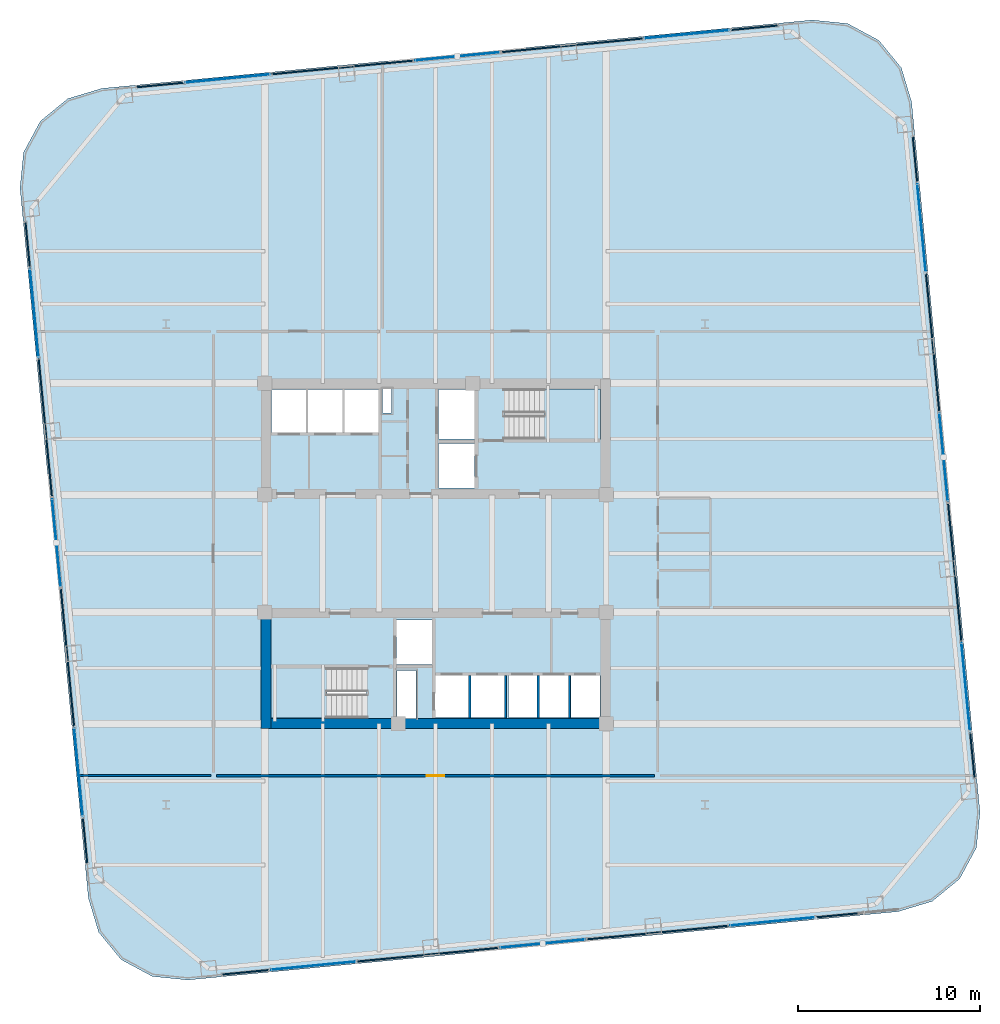
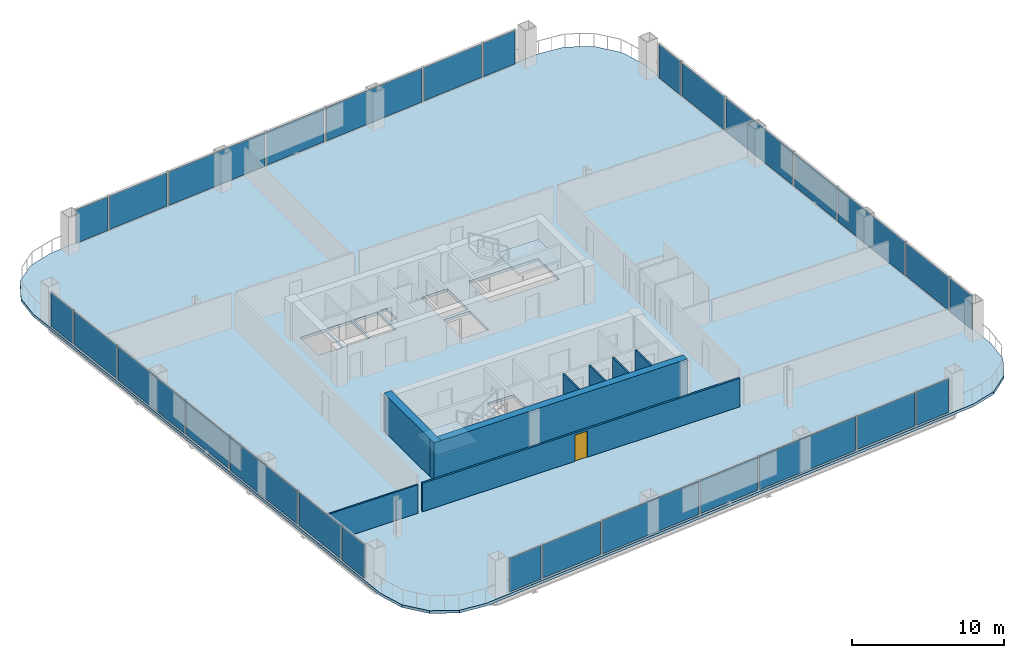
# One storey, part 21 of 27: 28 plates, 8 walls, 3 slabs, 1 door, 1 opening, 30 elements without a shape of their own.
"""IFC4 building model written with IfcOpenShell, lengths in metres."""

from ifc_helpers import new_model, si_unit, direction, frame, frame_2d, origin, origin_2d, place, context, subcontext, project, spatial, polyline, rectangle, outline, extrude, material, layer, layer_set, type_object, element, fill, aggregate, save


model = new_model("IFC4")

# Units and contexts
model_context = context("Model", 3, precision=1e-05, world=origin(), true_north=direction((0.0, 1.0)))
body_context = subcontext(model_context, "Body", "Model", "MODEL_VIEW")
ifc_project = project(units=[si_unit("LENGTHUNIT", "METRE"), si_unit("AREAUNIT", "SQUARE_METRE"), si_unit("VOLUMEUNIT", "CUBIC_METRE"), si_unit("PLANEANGLEUNIT", "RADIAN"), si_unit("MASSUNIT", "GRAM", prefix="KILO")], contexts=[model_context])

# Site, building, storey
site_placement = place(None, origin())
site = spatial("IfcSite", under=ifc_project, at=site_placement, CompositionType="ELEMENT")
building_placement = place(site_placement, origin())
building = spatial("IfcBuilding", under=site, at=building_placement, Name="Qhalaya Broadcast Tower", CompositionType="ELEMENT")
storey_placement = place(building_placement, frame((0.0, 0.0, 75.550048828125)))
storey = spatial("IfcBuildingStorey", under=building, at=storey_placement, Name="L21", CompositionType="ELEMENT", Elevation=75.550048828125)

# Curtain wall, plate
ifc_material_1 = material(Name="Fired Architectural Terracotta", Category="masonry")
ifc_layer_1 = layer(ifc_material_1, 0.219970703125, Name="Fired Architectural Terracotta")
ifc_layer_set_1 = layer_set([ifc_layer_1], Name="Fired Architectural Terracotta")
curtain_wall_type_1 = type_object("IfcCurtainWallType", Name="Block-Cap Unitised Terracotta Spandrel Wall CW-07", PredefinedType="NOTDEFINED", material=ifc_layer_set_1)
curtain_wall_1_placement = place(storey_placement, origin())
curtain_wall_1 = element("IfcCurtainWall", 1, at=curtain_wall_1_placement, inside=storey, type_object=curtain_wall_type_1, Name="L21 Unitised Curtain Wall L21-CW-S1", PredefinedType="NOTDEFINED")
ifc_layer_2 = layer(ifc_material_1, 0.080078125, Name="Fired Architectural Terracotta")
ifc_layer_set_2 = layer_set([ifc_layer_2], Name="Fired Architectural Terracotta")
plate_type_1 = type_object("IfcPlateType", Name="Insulated Terracotta Spandrel Panel TSP-07", PredefinedType="CURTAIN_PANEL", material=ifc_layer_set_2)
plate_1_placement = place(storey_placement, frame((-10.443115234375, -22.399658203125, 0.0751953125), z_axis=(0.0, 0.0, 1.0), x_axis=(0.995397033761, 0.095837076227, 0.0)))
plate_1 = element("IfcPlate", 2, at=plate_1_placement, type_object=plate_type_1, Name="CW-07 panel 1.1", PredefinedType="CURTAIN_PANEL", context=body_context, shape_type="SweptSolid", body=[
    extrude(rectangle(XDim=2.5400390625, YDim=0.080078125, at=origin_2d()), origin(), (0.0, 0.0, 1.0), 2.679931640625),
])
aggregate(curtain_wall_1, [plate_1])

curtain_wall_2_placement = place(storey_placement, origin())
curtain_wall_2 = element("IfcCurtainWall", 3, at=curtain_wall_2_placement, inside=storey, type_object=curtain_wall_type_1, Name="L21 Unitised Curtain Wall L21-CW-S3", PredefinedType="NOTDEFINED")
plate_2_placement = place(storey_placement, frame((-0.41796875, -21.434326171875, 0.0751953125), z_axis=(0.0, 0.0, 1.0), x_axis=(0.995396908899, 0.095838373083, 0.0)))
plate_2 = element("IfcPlate", 4, at=plate_2_placement, type_object=plate_type_1, Name="CW-07 panel 1.1", PredefinedType="CURTAIN_PANEL", context=body_context, shape_type="SweptSolid", body=[
    extrude(rectangle(XDim=7.73095703125, YDim=0.080078125, at=origin_2d()), origin(), (0.0, 0.0, 1.0), 2.679931640625),
])
aggregate(curtain_wall_2, [plate_2])

curtain_wall_3_placement = place(storey_placement, origin())
curtain_wall_3 = element("IfcCurtainWall", 5, at=curtain_wall_3_placement, inside=storey, type_object=curtain_wall_type_1, Name="L21 Unitised Curtain Wall L21-CW-S5", PredefinedType="NOTDEFINED")
plate_3_placement = place(storey_placement, frame((12.190673828125, -20.22021484375, 0.0751953125), z_axis=(0.0, 0.0, 1.0), x_axis=(0.995396908899, 0.095838373083, 0.0)))
plate_3 = element("IfcPlate", 6, at=plate_3_placement, type_object=plate_type_1, Name="CW-07 panel 1.1", PredefinedType="CURTAIN_PANEL", context=body_context, shape_type="SweptSolid", body=[
    extrude(rectangle(XDim=7.73095703125, YDim=0.080078125, at=origin_2d()), origin(), (0.0, 0.0, 1.0), 2.679931640625),
])
aggregate(curtain_wall_3, [plate_3])

curtain_wall_4_placement = place(storey_placement, origin())
curtain_wall_4 = element("IfcCurtainWall", 7, at=curtain_wall_4_placement, inside=storey, type_object=curtain_wall_type_1, Name="L21 Unitised Curtain Wall L21-CW-S7", PredefinedType="NOTDEFINED")
plate_4_placement = place(storey_placement, frame((22.2158203125, -19.2548828125, 0.0751953125), z_axis=(0.0, 0.0, 1.0), x_axis=(0.995397375184, 0.095833530024, 0.0)))
plate_4 = element("IfcPlate", 8, at=plate_4_placement, type_object=plate_type_1, Name="CW-07 panel 1.1", PredefinedType="CURTAIN_PANEL", context=body_context, shape_type="SweptSolid", body=[
    extrude(rectangle(XDim=2.5400390625, YDim=0.080078125, at=origin_2d()), origin(), (0.0, 0.0, 1.0), 2.679931640625),
])
aggregate(curtain_wall_4, [plate_4])

curtain_wall_5_placement = place(storey_placement, origin())
curtain_wall_5 = element("IfcCurtainWall", 9, at=curtain_wall_5_placement, inside=storey, type_object=curtain_wall_type_1, Name="L21 Unitised Curtain Wall L21-CW-E1", PredefinedType="NOTDEFINED")
plate_5_placement = place(storey_placement, frame((29.48388671875, -10.486083984375, 0.0751953125), z_axis=(0.0, 0.0, 1.0), x_axis=(-0.095852900962, 0.995395510025, 0.0)))
plate_5 = element("IfcPlate", 10, at=plate_5_placement, type_object=plate_type_1, Name="CW-07 panel 1.1", PredefinedType="CURTAIN_PANEL", context=body_context, shape_type="SweptSolid", body=[
    extrude(rectangle(XDim=2.4541015625, YDim=0.080078125, at=origin_2d()), origin(), (0.0, 0.0, 1.0), 2.679931640625),
])
aggregate(curtain_wall_5, [plate_5])

curtain_wall_6_placement = place(storey_placement, origin())
curtain_wall_6 = element("IfcCurtainWall", 11, at=curtain_wall_6_placement, inside=storey, type_object=curtain_wall_type_1, Name="L21 Unitised Curtain Wall L21-CW-E3", PredefinedType="NOTDEFINED")
plate_6_placement = place(storey_placement, frame((28.514404296875, -0.41796875, 0.0751953125), z_axis=(0.0, 0.0, 1.0), x_axis=(-0.095849092763, 0.995395876733, 0.0)))
plate_6 = element("IfcPlate", 12, at=plate_6_placement, type_object=plate_type_1, Name="CW-07 panel 1.1", PredefinedType="CURTAIN_PANEL", context=body_context, shape_type="SweptSolid", body=[
    extrude(rectangle(XDim=7.55908203125, YDim=0.080078125, at=origin_2d()), origin(), (0.0, 0.0, 1.0), 2.679931640625),
])
aggregate(curtain_wall_6, [plate_6])

curtain_wall_7_placement = place(storey_placement, origin())
curtain_wall_7 = element("IfcCurtainWall", 13, at=curtain_wall_7_placement, inside=storey, type_object=curtain_wall_type_1, Name="L21 Unitised Curtain Wall L21-CW-E5", PredefinedType="NOTDEFINED")
plate_7_placement = place(storey_placement, frame((27.30029296875, 12.190673828125, 0.0751953125), z_axis=(0.0, 0.0, 1.0), x_axis=(-0.095849092763, 0.995395876733, 0.0)))
plate_7 = element("IfcPlate", 14, at=plate_7_placement, type_object=plate_type_1, Name="CW-07 panel 1.1", PredefinedType="CURTAIN_PANEL", context=body_context, shape_type="SweptSolid", body=[
    extrude(rectangle(XDim=7.55908203125, YDim=0.080078125, at=origin_2d()), origin(), (0.0, 0.0, 1.0), 2.679931640625),
])
aggregate(curtain_wall_7, [plate_7])

curtain_wall_8_placement = place(storey_placement, origin())
curtain_wall_8 = element("IfcCurtainWall", 15, at=curtain_wall_8_placement, inside=storey, type_object=curtain_wall_type_1, Name="L21 Unitised Curtain Wall L21-CW-E7", PredefinedType="NOTDEFINED")
plate_8_placement = place(storey_placement, frame((26.330810546875, 22.258544921875, 0.0751953125), z_axis=(0.0, 0.0, 1.0), x_axis=(-0.095849237045, 0.995395862839, 0.0)))
plate_8 = element("IfcPlate", 16, at=plate_8_placement, type_object=plate_type_1, Name="CW-07 panel 1.1", PredefinedType="CURTAIN_PANEL", context=body_context, shape_type="SweptSolid", body=[
    extrude(rectangle(XDim=2.4541015625, YDim=0.080078125, at=origin_2d()), origin(), (0.0, 0.0, 1.0), 2.679931640625),
])
aggregate(curtain_wall_8, [plate_8])

curtain_wall_9_placement = place(storey_placement, origin())
curtain_wall_9 = element("IfcCurtainWall", 17, at=curtain_wall_9_placement, inside=storey, type_object=curtain_wall_type_1, Name="L21 Unitised Curtain Wall L21-CW-N1", PredefinedType="NOTDEFINED")
plate_9_placement = place(storey_placement, frame((17.523193359375, 29.479736328125, 0.0751953125), z_axis=(0.0, 0.0, 1.0), x_axis=(-0.995397033761, -0.095837076227, 0.0)))
plate_9 = element("IfcPlate", 18, at=plate_9_placement, type_object=plate_type_1, Name="CW-07 panel 1.1", PredefinedType="CURTAIN_PANEL", context=body_context, shape_type="SweptSolid", body=[
    extrude(rectangle(XDim=2.5400390625, YDim=0.080078125, at=origin_2d()), origin(), (0.0, 0.0, 1.0), 2.679931640625),
])
aggregate(curtain_wall_9, [plate_9])

curtain_wall_10_placement = place(storey_placement, origin())
curtain_wall_10 = element("IfcCurtainWall", 19, at=curtain_wall_10_placement, inside=storey, type_object=curtain_wall_type_1, Name="L21 Unitised Curtain Wall L21-CW-N3", PredefinedType="NOTDEFINED")
plate_10_placement = place(storey_placement, frame((7.498046875, 28.514404296875, 0.0751953125), z_axis=(0.0, 0.0, 1.0), x_axis=(-0.995396908899, -0.095838373083, 0.0)))
plate_10 = element("IfcPlate", 20, at=plate_10_placement, type_object=plate_type_1, Name="CW-07 panel 1.1", PredefinedType="CURTAIN_PANEL", context=body_context, shape_type="SweptSolid", body=[
    extrude(rectangle(XDim=7.73095703125, YDim=0.080078125, at=origin_2d()), origin(), (0.0, 0.0, 1.0), 2.679931640625),
])
aggregate(curtain_wall_10, [plate_10])

curtain_wall_11_placement = place(storey_placement, origin())
curtain_wall_11 = element("IfcCurtainWall", 21, at=curtain_wall_11_placement, inside=storey, type_object=curtain_wall_type_1, Name="L21 Unitised Curtain Wall L21-CW-N5", PredefinedType="NOTDEFINED")
plate_11_placement = place(storey_placement, frame((-5.110595703125, 27.30029296875, 0.0751953125), z_axis=(0.0, 0.0, 1.0), x_axis=(-0.995396908899, -0.095838373083, 0.0)))
plate_11 = element("IfcPlate", 22, at=plate_11_placement, type_object=plate_type_1, Name="CW-07 panel 1.1", PredefinedType="CURTAIN_PANEL", context=body_context, shape_type="SweptSolid", body=[
    extrude(rectangle(XDim=7.73095703125, YDim=0.080078125, at=origin_2d()), origin(), (0.0, 0.0, 1.0), 2.679931640625),
])
aggregate(curtain_wall_11, [plate_11])

curtain_wall_12_placement = place(storey_placement, origin())
curtain_wall_12 = element("IfcCurtainWall", 23, at=curtain_wall_12_placement, inside=storey, type_object=curtain_wall_type_1, Name="L21 Unitised Curtain Wall L21-CW-N7", PredefinedType="NOTDEFINED")
plate_12_placement = place(storey_placement, frame((-15.1357421875, 26.3349609375, 0.0751953125), z_axis=(0.0, 0.0, 1.0), x_axis=(-0.995397375184, -0.095833530024, 0.0)))
plate_12 = element("IfcPlate", 24, at=plate_12_placement, type_object=plate_type_1, Name="CW-07 panel 1.1", PredefinedType="CURTAIN_PANEL", context=body_context, shape_type="SweptSolid", body=[
    extrude(rectangle(XDim=2.5400390625, YDim=0.080078125, at=origin_2d()), origin(), (0.0, 0.0, 1.0), 2.679931640625),
])
aggregate(curtain_wall_12, [plate_12])

curtain_wall_13_placement = place(storey_placement, origin())
curtain_wall_13 = element("IfcCurtainWall", 25, at=curtain_wall_13_placement, inside=storey, type_object=curtain_wall_type_1, Name="L21 Unitised Curtain Wall L21-CW-W1", PredefinedType="NOTDEFINED")
plate_13_placement = place(storey_placement, frame((-22.40380859375, 17.56591796875, 0.0751953125), z_axis=(0.0, 0.0, 1.0), x_axis=(0.095852900962, -0.995395510025, 0.0)))
plate_13 = element("IfcPlate", 26, at=plate_13_placement, type_object=plate_type_1, Name="CW-07 panel 1.1", PredefinedType="CURTAIN_PANEL", context=body_context, shape_type="SweptSolid", body=[
    extrude(rectangle(XDim=2.4541015625, YDim=0.080078125, at=origin_2d()), origin(), (0.0, 0.0, 1.0), 2.679931640625),
])
aggregate(curtain_wall_13, [plate_13])

curtain_wall_14_placement = place(storey_placement, origin())
curtain_wall_14 = element("IfcCurtainWall", 27, at=curtain_wall_14_placement, inside=storey, type_object=curtain_wall_type_1, Name="L21 Unitised Curtain Wall L21-CW-W3", PredefinedType="NOTDEFINED")
plate_14_placement = place(storey_placement, frame((-21.434326171875, 7.498046875, 0.0751953125), z_axis=(0.0, 0.0, 1.0), x_axis=(0.095849092763, -0.995395876733, 0.0)))
plate_14 = element("IfcPlate", 28, at=plate_14_placement, type_object=plate_type_1, Name="CW-07 panel 1.1", PredefinedType="CURTAIN_PANEL", context=body_context, shape_type="SweptSolid", body=[
    extrude(rectangle(XDim=7.55908203125, YDim=0.080078125, at=origin_2d()), origin(), (0.0, 0.0, 1.0), 2.679931640625),
])
aggregate(curtain_wall_14, [plate_14])

curtain_wall_15_placement = place(storey_placement, origin())
curtain_wall_15 = element("IfcCurtainWall", 29, at=curtain_wall_15_placement, inside=storey, type_object=curtain_wall_type_1, Name="L21 Unitised Curtain Wall L21-CW-W5", PredefinedType="NOTDEFINED")
plate_15_placement = place(storey_placement, frame((-20.22021484375, -5.110595703125, 0.0751953125), z_axis=(0.0, 0.0, 1.0), x_axis=(0.095849092763, -0.995395876733, 0.0)))
plate_15 = element("IfcPlate", 30, at=plate_15_placement, type_object=plate_type_1, Name="CW-07 panel 1.1", PredefinedType="CURTAIN_PANEL", context=body_context, shape_type="SweptSolid", body=[
    extrude(rectangle(XDim=7.55908203125, YDim=0.080078125, at=origin_2d()), origin(), (0.0, 0.0, 1.0), 2.679931640625),
])
aggregate(curtain_wall_15, [plate_15])

curtain_wall_16_placement = place(storey_placement, origin())
curtain_wall_16 = element("IfcCurtainWall", 31, at=curtain_wall_16_placement, inside=storey, type_object=curtain_wall_type_1, Name="L21 Unitised Curtain Wall L21-CW-W7", PredefinedType="NOTDEFINED")
plate_16_placement = place(storey_placement, frame((-19.250732421875, -15.178466796875, 0.0751953125), z_axis=(0.0, 0.0, 1.0), x_axis=(0.095849237045, -0.995395862839, 0.0)))
plate_16 = element("IfcPlate", 32, at=plate_16_placement, type_object=plate_type_1, Name="CW-07 panel 1.1", PredefinedType="CURTAIN_PANEL", context=body_context, shape_type="SweptSolid", body=[
    extrude(rectangle(XDim=2.4541015625, YDim=0.080078125, at=origin_2d()), origin(), (0.0, 0.0, 1.0), 2.679931640625),
])
aggregate(curtain_wall_16, [plate_16])

ifc_material_2 = material(Name="Solar-Control Low-E Triple Glazing", Category="glass")
ifc_layer_3 = layer(ifc_material_2, 0.219970703125, Name="Solar-Control Low-E Triple Glazing")
ifc_layer_set_3 = layer_set([ifc_layer_3], Name="Solar-Control Low-E Triple Glazing")
curtain_wall_type_2 = type_object("IfcCurtainWallType", Name="Even-Block 4-Storey Double-Module Curtain Wall CW-03", PredefinedType="NOTDEFINED", material=ifc_layer_set_3)
curtain_wall_17_placement = place(storey_placement, origin())
curtain_wall_17 = element("IfcCurtainWall", 33, at=curtain_wall_17_placement, inside=storey, type_object=curtain_wall_type_2, Name="L21 Unitised Curtain Wall L21-CW-S2", PredefinedType="NOTDEFINED")
ifc_layer_4 = layer(ifc_material_2, 0.035888671875, Name="Solar-Control Low-E Triple Glazing")
ifc_layer_set_4 = layer_set([ifc_layer_4], Name="Solar-Control Low-E Triple Glazing")
plate_type_2 = type_object("IfcPlateType", Name="Solar-Control Curtain Glazing Panel GLP-03", PredefinedType="CURTAIN_PANEL", material=ifc_layer_set_4)
plate_17_placement = place(storey_placement, frame((-6.722412109375, -22.04150390625, 0.0751953125), z_axis=(0.0, 0.0, 1.0), x_axis=(0.995394623965, 0.095862101904, 0.0)))
plate_17 = element("IfcPlate", 34, at=plate_17_placement, type_object=plate_type_2, Name="CW-03 panel 1.1", PredefinedType="CURTAIN_PANEL", context=body_context, shape_type="SweptSolid", body=[
    extrude(rectangle(XDim=4.635986328125, YDim=0.035888671875, at=origin_2d()), origin(), (0.0, 0.0, 1.0), 2.679931640625),
])
aggregate(curtain_wall_17, [plate_17])

curtain_wall_18_placement = place(storey_placement, origin())
curtain_wall_18 = element("IfcCurtainWall", 35, at=curtain_wall_18_placement, inside=storey, type_object=curtain_wall_type_2, Name="L21 Unitised Curtain Wall L21-CW-S4", PredefinedType="NOTDEFINED")
plate_18_placement = place(storey_placement, frame((5.88623046875, -20.827392578125, 0.0751953125), z_axis=(0.0, 0.0, 1.0), x_axis=(0.995394623965, 0.095862101904, 0.0)))
plate_18 = element("IfcPlate", 36, at=plate_18_placement, type_object=plate_type_2, Name="CW-03 panel 1.1", PredefinedType="CURTAIN_PANEL", context=body_context, shape_type="SweptSolid", body=[
    extrude(rectangle(XDim=4.635986328125, YDim=0.035888671875, at=origin_2d()), origin(), (0.0, 0.0, 1.0), 2.679931640625),
])
aggregate(curtain_wall_18, [plate_18])

curtain_wall_19_placement = place(storey_placement, origin())
curtain_wall_19 = element("IfcCurtainWall", 37, at=curtain_wall_19_placement, inside=storey, type_object=curtain_wall_type_2, Name="L21 Unitised Curtain Wall L21-CW-S6", PredefinedType="NOTDEFINED")
plate_19_placement = place(storey_placement, frame((18.494873046875, -19.61328125, 0.0751953125), z_axis=(0.0, 0.0, 1.0), x_axis=(0.995394431952, 0.095864095672, 0.0)))
plate_19 = element("IfcPlate", 38, at=plate_19_placement, type_object=plate_type_2, Name="CW-03 panel 1.1", PredefinedType="CURTAIN_PANEL", context=body_context, shape_type="SweptSolid", body=[
    extrude(rectangle(XDim=4.635986328125, YDim=0.035888671875, at=origin_2d()), origin(), (0.0, 0.0, 1.0), 2.679931640625),
])
aggregate(curtain_wall_19, [plate_19])

curtain_wall_20_placement = place(storey_placement, origin())
curtain_wall_20 = element("IfcCurtainWall", 39, at=curtain_wall_20_placement, inside=storey, type_object=curtain_wall_type_2, Name="L21 Unitised Curtain Wall L21-CW-E2", PredefinedType="NOTDEFINED")
plate_20_placement = place(storey_placement, frame((29.121337890625, -6.722412109375, 0.0751953125), z_axis=(0.0, 0.0, 1.0), x_axis=(-0.095844611292, 0.995396308254, 0.0)))
plate_20 = element("IfcPlate", 40, at=plate_20_placement, type_object=plate_type_2, Name="CW-03 panel 1.1", PredefinedType="CURTAIN_PANEL", context=body_context, shape_type="SweptSolid", body=[
    extrude(rectangle(XDim=4.80810546875, YDim=0.035888671875, at=origin_2d()), origin(), (0.0, 0.0, 1.0), 2.679931640625),
])
aggregate(curtain_wall_20, [plate_20])

curtain_wall_21_placement = place(storey_placement, origin())
curtain_wall_21 = element("IfcCurtainWall", 41, at=curtain_wall_21_placement, inside=storey, type_object=curtain_wall_type_2, Name="L21 Unitised Curtain Wall L21-CW-E4", PredefinedType="NOTDEFINED")
plate_21_placement = place(storey_placement, frame((27.9072265625, 5.88623046875, 0.0751953125), z_axis=(0.0, 0.0, 1.0), x_axis=(-0.095844611292, 0.995396308254, 0.0)))
plate_21 = element("IfcPlate", 42, at=plate_21_placement, type_object=plate_type_2, Name="CW-03 panel 1.1", PredefinedType="CURTAIN_PANEL", context=body_context, shape_type="SweptSolid", body=[
    extrude(rectangle(XDim=4.80810546875, YDim=0.035888671875, at=origin_2d()), origin(), (0.0, 0.0, 1.0), 2.679931640625),
])
aggregate(curtain_wall_21, [plate_21])

curtain_wall_22_placement = place(storey_placement, origin())
curtain_wall_22 = element("IfcCurtainWall", 43, at=curtain_wall_22_placement, inside=storey, type_object=curtain_wall_type_2, Name="L21 Unitised Curtain Wall L21-CW-E6", PredefinedType="NOTDEFINED")
plate_22_placement = place(storey_placement, frame((26.693115234375, 18.494873046875, 0.0751953125), z_axis=(0.0, 0.0, 1.0), x_axis=(-0.095846535553, 0.995396122969, 0.0)))
plate_22 = element("IfcPlate", 44, at=plate_22_placement, type_object=plate_type_2, Name="CW-03 panel 1.1", PredefinedType="CURTAIN_PANEL", context=body_context, shape_type="SweptSolid", body=[
    extrude(rectangle(XDim=4.807861328125, YDim=0.035888671875, at=origin_2d()), origin(), (0.0, 0.0, 1.0), 2.679931640625),
])
aggregate(curtain_wall_22, [plate_22])

curtain_wall_23_placement = place(storey_placement, origin())
curtain_wall_23 = element("IfcCurtainWall", 45, at=curtain_wall_23_placement, inside=storey, type_object=curtain_wall_type_2, Name="L21 Unitised Curtain Wall L21-CW-N2", PredefinedType="NOTDEFINED")
plate_23_placement = place(storey_placement, frame((13.802490234375, 29.121337890625, 0.0751953125), z_axis=(0.0, 0.0, 1.0), x_axis=(-0.995394623965, -0.095862101904, 0.0)))
plate_23 = element("IfcPlate", 46, at=plate_23_placement, type_object=plate_type_2, Name="CW-03 panel 1.1", PredefinedType="CURTAIN_PANEL", context=body_context, shape_type="SweptSolid", body=[
    extrude(rectangle(XDim=4.635986328125, YDim=0.035888671875, at=origin_2d()), origin(), (0.0, 0.0, 1.0), 2.679931640625),
])
aggregate(curtain_wall_23, [plate_23])

curtain_wall_24_placement = place(storey_placement, origin())
curtain_wall_24 = element("IfcCurtainWall", 47, at=curtain_wall_24_placement, inside=storey, type_object=curtain_wall_type_2, Name="L21 Unitised Curtain Wall L21-CW-N4", PredefinedType="NOTDEFINED")
plate_24_placement = place(storey_placement, frame((1.193603515625, 27.9072265625, 0.0751953125), z_axis=(0.0, 0.0, 1.0), x_axis=(-0.995394623965, -0.095862101904, 0.0)))
plate_24 = element("IfcPlate", 48, at=plate_24_placement, type_object=plate_type_2, Name="CW-03 panel 1.1", PredefinedType="CURTAIN_PANEL", context=body_context, shape_type="SweptSolid", body=[
    extrude(rectangle(XDim=4.635986328125, YDim=0.035888671875, at=origin_2d()), origin(), (0.0, 0.0, 1.0), 2.679931640625),
])
aggregate(curtain_wall_24, [plate_24])

curtain_wall_25_placement = place(storey_placement, origin())
curtain_wall_25 = element("IfcCurtainWall", 49, at=curtain_wall_25_placement, inside=storey, type_object=curtain_wall_type_2, Name="L21 Unitised Curtain Wall L21-CW-N6", PredefinedType="NOTDEFINED")
plate_25_placement = place(storey_placement, frame((-11.4150390625, 26.693115234375, 0.0751953125), z_axis=(0.0, 0.0, 1.0), x_axis=(-0.995394431952, -0.095864095672, 0.0)))
plate_25 = element("IfcPlate", 50, at=plate_25_placement, type_object=plate_type_2, Name="CW-03 panel 1.1", PredefinedType="CURTAIN_PANEL", context=body_context, shape_type="SweptSolid", body=[
    extrude(rectangle(XDim=4.635986328125, YDim=0.035888671875, at=origin_2d()), origin(), (0.0, 0.0, 1.0), 2.679931640625),
])
aggregate(curtain_wall_25, [plate_25])

curtain_wall_26_placement = place(storey_placement, origin())
curtain_wall_26 = element("IfcCurtainWall", 51, at=curtain_wall_26_placement, inside=storey, type_object=curtain_wall_type_2, Name="L21 Unitised Curtain Wall L21-CW-W2", PredefinedType="NOTDEFINED")
plate_26_placement = place(storey_placement, frame((-22.04150390625, 13.802490234375, 0.0751953125), z_axis=(0.0, 0.0, 1.0), x_axis=(0.095844611292, -0.995396308254, 0.0)))
plate_26 = element("IfcPlate", 52, at=plate_26_placement, type_object=plate_type_2, Name="CW-03 panel 1.1", PredefinedType="CURTAIN_PANEL", context=body_context, shape_type="SweptSolid", body=[
    extrude(rectangle(XDim=4.80810546875, YDim=0.035888671875, at=origin_2d()), origin(), (0.0, 0.0, 1.0), 2.679931640625),
])
aggregate(curtain_wall_26, [plate_26])

curtain_wall_27_placement = place(storey_placement, origin())
curtain_wall_27 = element("IfcCurtainWall", 53, at=curtain_wall_27_placement, inside=storey, type_object=curtain_wall_type_2, Name="L21 Unitised Curtain Wall L21-CW-W4", PredefinedType="NOTDEFINED")
plate_27_placement = place(storey_placement, frame((-20.827392578125, 1.193603515625, 0.0751953125), z_axis=(0.0, 0.0, 1.0), x_axis=(0.095844611292, -0.995396308254, 0.0)))
plate_27 = element("IfcPlate", 54, at=plate_27_placement, type_object=plate_type_2, Name="CW-03 panel 1.1", PredefinedType="CURTAIN_PANEL", context=body_context, shape_type="SweptSolid", body=[
    extrude(rectangle(XDim=4.80810546875, YDim=0.035888671875, at=origin_2d()), origin(), (0.0, 0.0, 1.0), 2.679931640625),
])
aggregate(curtain_wall_27, [plate_27])

curtain_wall_28_placement = place(storey_placement, origin())
curtain_wall_28 = element("IfcCurtainWall", 55, at=curtain_wall_28_placement, inside=storey, type_object=curtain_wall_type_2, Name="L21 Unitised Curtain Wall L21-CW-W6", PredefinedType="NOTDEFINED")
plate_28_placement = place(storey_placement, frame((-19.61328125, -11.4150390625, 0.0751953125), z_axis=(0.0, 0.0, 1.0), x_axis=(0.095846535553, -0.995396122969, 0.0)))
plate_28 = element("IfcPlate", 56, at=plate_28_placement, type_object=plate_type_2, Name="CW-03 panel 1.1", PredefinedType="CURTAIN_PANEL", context=body_context, shape_type="SweptSolid", body=[
    extrude(rectangle(XDim=4.807861328125, YDim=0.035888671875, at=origin_2d()), origin(), (0.0, 0.0, 1.0), 2.679931640625),
])
aggregate(curtain_wall_28, [plate_28])

# Stair, slab
ifc_material_3 = material(Name="Concrete C40/50", Category="concrete")
stair_type = type_object("IfcStairType", Name="Protected Dogleg Core Stair 3150", PredefinedType="TWO_STRAIGHT_RUN_STAIR", material=ifc_material_3)
stair_1_placement = place(storey_placement, origin())
stair_1 = element("IfcStair", 57, at=stair_1_placement, inside=storey, type_object=stair_type, Name="L21 North Core Exit Stair ST-1", PredefinedType="TWO_STRAIGHT_RUN_STAIR")
ifc_layer_5 = layer(ifc_material_3, 0.199951171875, Name="Concrete C40/50")
ifc_layer_set_5 = layer_set([ifc_layer_5], Name="Concrete C40/50")
slab_type_1 = type_object("IfcSlabType", Name="Stair & Ramp Half-Landing Slab 200", PredefinedType="LANDING", material=ifc_layer_set_5)
slab_1_placement = place(storey_placement, frame((0.0, 0.0, 1.324951171875)))
slab_1 = element("IfcSlab", 58, at=slab_1_placement, type_object=slab_type_1, Name="ST-1 landing 1", PredefinedType="LANDING", context=body_context, shape_type="SweptSolid", body=[
    extrude(outline(polyline([(5.955078125, 6.8798828125), (9.050048828125, 6.8798828125), (9.050048828125, 9.639892578125), (5.955078125, 9.639892578125), (5.955078125, 6.8798828125)])), origin(), (0.0, 0.0, 1.0), 0.199951171875),
])
aggregate(stair_1, [slab_1])

stair_2_placement = place(storey_placement, origin())
stair_2 = element("IfcStair", 59, at=stair_2_placement, inside=storey, type_object=stair_type, Name="L21 South Core Exit Stair ST-2", PredefinedType="TWO_STRAIGHT_RUN_STAIR")
slab_2_placement = place(storey_placement, frame((0.0, 0.0, 1.324951171875)))
slab_2 = element("IfcSlab", 60, at=slab_2_placement, type_object=slab_type_1, Name="ST-2 landing 1", PredefinedType="LANDING", context=body_context, shape_type="SweptSolid", body=[
    extrude(outline(polyline([(-5.955078125, -5.679931640625), (-9.050048828125, -5.679931640625), (-9.050048828125, -8.43994140625), (-5.955078125, -8.43994140625), (-5.955078125, -5.679931640625)])), origin(), (0.0, 0.0, 1.0), 0.199951171875),
])
aggregate(stair_2, [slab_2])

# Slab
ifc_layer_6 = layer(ifc_material_3, 0.219970703125, Name="Concrete C40/50")
ifc_layer_set_6 = layer_set([ifc_layer_6], Name="Concrete C40/50")
slab_type_2 = type_object("IfcSlabType", Name="Tower Composite Floor Slab 220", PredefinedType="FLOOR", material=ifc_layer_set_6)
slab_3_placement = place(storey_placement, frame((0.0, 0.0, -0.219970703125)))
element("IfcSlab", 61, at=slab_3_placement, inside=storey, type_object=slab_type_2, Name="L21 Main Structural Floor Slab", PredefinedType="FLOOR", context=body_context, shape_type="SweptSolid", body=[
    extrude(outline(polyline([(25.40771484375, -19.068115234375), (27.275634765625, -18.505859375), (28.78662109375, -17.271484375), (29.7099609375, -15.552978515625), (29.9052734375, -13.612060546875), (26.148193359375, 25.40771484375), (25.5859375, 27.275634765625), (24.3515625, 28.78662109375), (22.633056640625, 29.7099609375), (20.69189453125, 29.9052734375), (-18.32763671875, 26.148193359375), (-20.19580078125, 25.5859375), (-21.70654296875, 24.3515625), (-22.6298828125, 22.633056640625), (-22.8251953125, 20.69189453125), (-19.068115234375, -18.32763671875), (-18.505859375, -20.19580078125), (-17.271484375, -21.70654296875), (-15.552978515625, -22.6298828125), (-13.612060546875, -22.8251953125), (25.40771484375, -19.068115234375)]), holes=[polyline([(3.784912109375, 9.639892578125), (9.050048828125, 9.639892578125), (9.050048828125, 6.8798828125), (3.784912109375, 6.8798828125), (3.784912109375, 9.639892578125)]), polyline([(-3.784912109375, -8.43994140625), (-9.050048828125, -8.43994140625), (-9.050048828125, -5.679931640625), (-3.784912109375, -5.679931640625), (-3.784912109375, -8.43994140625)]), polyline([(0.14990234375, 6.64990234375), (2.14990234375, 6.64990234375), (2.14990234375, 4.199951171875), (0.14990234375, 4.199951171875), (0.14990234375, 6.64990234375)]), polyline([(0.14990234375, 9.60009765625), (2.14990234375, 9.60009765625), (2.14990234375, 6.89990234375), (0.14990234375, 6.89990234375), (0.14990234375, 9.60009765625)]), polyline([(-2.14990234375, -3.050048828125), (-0.14990234375, -3.050048828125), (-0.14990234375, -5.5), (-2.14990234375, -5.5), (-2.14990234375, -3.050048828125)]), polyline([(-9.0, 9.60009765625), (-7.1201171875, 9.60009765625), (-7.1201171875, 7.25), (-9.0, 7.25), (-9.0, 9.60009765625)]), polyline([(-7.0, 9.60009765625), (-5.1201171875, 9.60009765625), (-5.1201171875, 7.25), (-7.0, 7.25), (-7.0, 9.60009765625)]), polyline([(-5.0, 9.60009765625), (-3.1201171875, 9.60009765625), (-3.1201171875, 7.25), (-5.0, 7.25), (-5.0, 9.60009765625)]), polyline([(-0.050048828125, -6.10009765625), (1.830078125, -6.10009765625), (1.830078125, -8.39990234375), (-0.050048828125, -8.39990234375), (-0.050048828125, -6.10009765625)]), polyline([(1.949951171875, -6.10009765625), (3.830078125, -6.10009765625), (3.830078125, -8.39990234375), (1.949951171875, -8.39990234375), (1.949951171875, -6.10009765625)]), polyline([(4.0, -6.10009765625), (5.60009765625, -6.10009765625), (5.60009765625, -8.39990234375), (4.0, -8.39990234375), (4.0, -6.10009765625)]), polyline([(5.719970703125, -6.10009765625), (7.320068359375, -6.10009765625), (7.320068359375, -8.39990234375), (5.719970703125, -8.39990234375), (5.719970703125, -6.10009765625)]), polyline([(7.43994140625, -6.10009765625), (9.0400390625, -6.10009765625), (9.0400390625, -8.39990234375), (7.43994140625, -8.39990234375), (7.43994140625, -6.10009765625)]), polyline([(-2.919921875, 9.659912109375), (-2.419921875, 9.659912109375), (-2.419921875, 8.320068359375), (-2.919921875, 8.320068359375), (-2.919921875, 9.659912109375)]), polyline([(-2.1201171875, -5.820068359375), (-1.080078125, -5.820068359375), (-1.080078125, -8.4599609375), (-2.1201171875, -8.4599609375), (-2.1201171875, -5.820068359375)])]), origin(), (0.0, 0.0, 1.0), 0.219970703125),
])

# Wall, opening, door
ifc_material_4 = material(Name="Gypsum Acoustic Partition")
ifc_layer_7 = layer(ifc_material_4, 0.14990234375, Name="Gypsum Acoustic Partition")
ifc_layer_set_7 = layer_set([ifc_layer_7], Name="Gypsum Acoustic Partition")
wall_type_1 = type_object("IfcWallType", Name="Corridor & Tenancy Acoustic Partition 150", PredefinedType="PARTITIONING", material=ifc_layer_set_7)
wall_1_placement = place(storey_placement, frame((-12.02001953125, -11.60009765625, 0.0), z_axis=(0.0, 0.0, 1.0), x_axis=(1.0, 0.0, 0.0)))
wall_1 = element("IfcWall", 62, at=wall_1_placement, inside=storey, type_object=wall_type_1, Name="L21 Partition Wall W-COR-03", PredefinedType="PARTITIONING", context=body_context, shape_type="SweptSolid", body=[
    extrude(rectangle(XDim=24.0400390625, YDim=0.14990234375, at=frame_2d((12.02001953125, 0.0))), origin(), (0.0, 0.0, 1.0), 2.27392578125),
])
opening_placement = place(wall_1_placement, frame((11.544921875, 0.0, 0.0)))
opening = element("IfcOpeningElement", 63, at=opening_placement, cuts=wall_1, Name="Opening D10", PredefinedType="OPENING", context=body_context, shape_type="SweptSolid", body=[
    extrude(rectangle(XDim=0.949951171875, YDim=2.10009765625, at=frame_2d((0.47509765625, 1.050048828125))), frame((0.0, 0.0869140625, 0.0), z_axis=(0.0, -1.0, 0.0), x_axis=(1.0, 0.0, 0.0)), (0.0, 0.0, 1.0), 0.173828125),
])
ifc_material_5 = material(Name="Timber Veneer Acoustic Door", Category="wood")
door_type = type_object("IfcDoorType", Name="Cellular Office & Edit Booth Door D10", OperationType="NOTDEFINED", PredefinedType="DOOR", material=ifc_material_5)
door_placement = place(opening_placement, origin())
door = element("IfcDoor", 64, at=door_placement, inside=storey, type_object=door_type, Name="L21 Door D-RM03", OperationType="SINGLE_SWING_LEFT", OverallHeight=2.10009765625, OverallWidth=0.949951171875, PredefinedType="DOOR", context=body_context, shape_type="SweptSolid", body=[
    extrude(rectangle(XDim=0.949951171875, YDim=2.10009765625, at=frame_2d((0.47509765625, 1.050048828125))), frame((0.0, 0.02490234375, 0.0), z_axis=(0.0, -1.0, 0.0), x_axis=(1.0, 0.0, 0.0)), (0.0, 0.0, 1.0), 0.050048828125),
])
fill(opening, door)

# Walls
ifc_material_6 = material(Name="Concrete C60/75", Category="concrete")
ifc_layer_8 = layer(ifc_material_6, 0.550048828125, Name="Concrete C60/75")
ifc_layer_set_8 = layer_set([ifc_layer_8], Name="Concrete C60/75")
wall_type_2 = type_object("IfcWallType", Name="Lower Split-Core Shear Wall 550", PredefinedType="SHEAR", material=ifc_layer_set_8)
wall_2_placement = place(storey_placement, frame((-9.60009765625, -8.72509765625, 0.0), z_axis=(0.0, 0.0, 1.0), x_axis=(1.0, 0.0, 0.0)))
element("IfcWall", 65, at=wall_2_placement, inside=storey, type_object=wall_type_2, Name="L21 Split-Core Shear Wall CW-SS", PredefinedType="SHEAR", context=body_context, shape_type="SweptSolid", body=[
    extrude(rectangle(XDim=19.2001953125, YDim=0.550048828125, at=frame_2d((9.60009765625, 0.0))), origin(), (0.0, 0.0, 1.0), 3.050048828125),
])
wall_3_placement = place(storey_placement, frame((-9.324951171875, -9.0, 0.0), z_axis=(0.0, 0.0, 1.0), x_axis=(0.0, 1.0, 0.0)))
element("IfcWall", 66, at=wall_3_placement, inside=storey, type_object=wall_type_2, Name="L21 Split-Core Shear Wall CW-SW", PredefinedType="SHEAR", context=body_context, shape_type="SweptSolid", body=[
    extrude(rectangle(XDim=6.60009765625, YDim=0.550048828125, at=frame_2d((3.300048828125, 0.0))), origin(), (0.0, 0.0, 1.0), 3.050048828125),
])
ifc_layer_9 = layer(ifc_material_4, 0.1201171875, Name="Gypsum Acoustic Partition")
ifc_layer_set_9 = layer_set([ifc_layer_9], Name="Gypsum Acoustic Partition")
wall_type_3 = type_object("IfcWallType", Name="Office, Booth & Sanitary Partition 120", PredefinedType="PARTITIONING", material=ifc_layer_set_9)
for number, where, z_axis, x_axis, name in (
    (67, (1.8798828125, -8.429931640625, 0.0), (0.0, 0.0, 1.0), (0.0, 1.0, 0.0), "L21 Partition Wall SCW-MD4"),
    (68, (3.85009765625, -8.429931640625, 0.0), (0.0, 0.0, 1.0), (0.0, 1.0, 0.0), "L21 Partition Wall SCW-MD5"),
    (69, (5.639892578125, -8.429931640625, 0.0), (0.0, 0.0, 1.0), (0.0, 1.0, 0.0), "L21 Partition Wall SCW-HD6"),
    (70, (7.360107421875, -8.429931640625, 0.0), (0.0, 0.0, 1.0), (0.0, 1.0, 0.0), "L21 Partition Wall SCW-HD7"),
):
    element("IfcWall", number, at=place(storey_placement, frame(where, z_axis=z_axis, x_axis=x_axis)), inside=storey, type_object=wall_type_3, Name=name, PredefinedType="PARTITIONING", context=body_context, shape_type="SweptSolid", body=[
        extrude(rectangle(XDim=2.329833984375, YDim=0.1201171875, at=frame_2d((1.1650390625, 0.0))), origin(), (0.0, 0.0, 1.0), 2.829833984375),
    ])
wall_4_placement = place(storey_placement, frame((-19.595458984375, -11.60009765625, 0.0), z_axis=(0.0, 0.0, 1.0), x_axis=(1.0, 0.0, 0.0)))
element("IfcWall", 71, at=wall_4_placement, inside=storey, type_object=wall_type_3, Name="L21 Partition Wall W-BNDW2", PredefinedType="PARTITIONING", context=body_context, shape_type="SweptSolid", body=[
    extrude(rectangle(XDim=7.25537109375, YDim=0.1201171875, at=frame_2d((3.627685546875, 0.0))), origin(), (0.0, 0.0, 1.0), 2.27392578125),
])

save(model, "model.ifc")
